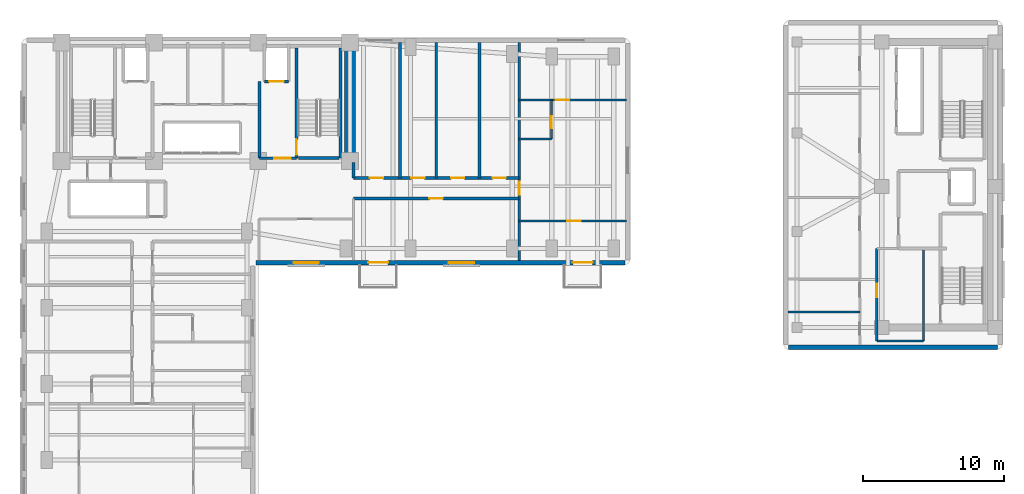
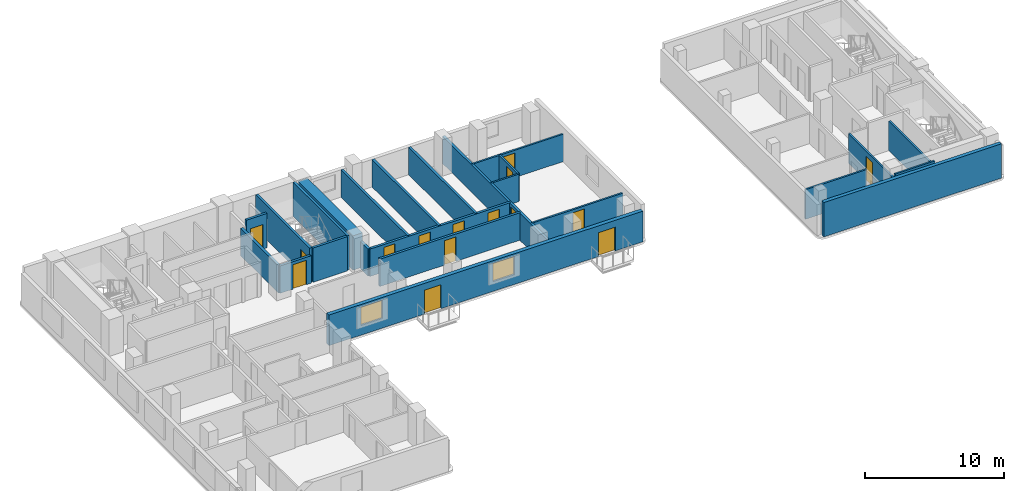
# One storey, part 5 of 10: 24 walls, 15 doors, 2 windows, 17 openings.
"""IFC4 building model written with IfcOpenShell, lengths in metres."""

from ifc_helpers import new_model, si_unit, direction, frame, frame_2d, origin, place, context, subcontext, project, spatial, rectangle, extrude, material, layer, layer_set, type_object, element, fill, save


model = new_model("IFC4")

# Units and contexts
model_context = context("Model", 3, precision=1e-05, world=origin(), true_north=direction((0.0, 1.0)))
body_context = subcontext(model_context, "Body", "Model", "MODEL_VIEW")
ifc_project = project(units=[si_unit("LENGTHUNIT", "METRE"), si_unit("AREAUNIT", "SQUARE_METRE"), si_unit("VOLUMEUNIT", "CUBIC_METRE"), si_unit("PLANEANGLEUNIT", "RADIAN"), si_unit("MASSUNIT", "GRAM", prefix="KILO")], contexts=[model_context])

# Site, building, storey
site_placement = place(None, origin())
site = spatial("IfcSite", under=ifc_project, at=site_placement, CompositionType="ELEMENT")
building_placement = place(site_placement, origin())
building = spatial("IfcBuilding", under=site, at=building_placement, Name="Kuzgunbayir Cultural Tower", CompositionType="ELEMENT")
storey_placement = place(building_placement, frame((0.0, 0.0, 93.0)))
storey = spatial("IfcBuildingStorey", under=building, at=storey_placement, Name="L26", CompositionType="ELEMENT", Elevation=93.0)

# Walls
ifc_material_1 = material(Name="Concrete C60/75", Category="concrete")
ifc_layer_1 = layer(ifc_material_1, 0.800048828125)
ifc_layer_set_1 = layer_set([ifc_layer_1], Name="Concrete C60/75")
wall_type_1 = type_object("IfcWallType", Name="WAL-CORE-800", PredefinedType="SHEAR", material=ifc_layer_set_1)
wall_1_placement = place(storey_placement, frame((26.89990234375, 33.800048828125, 0.0), z_axis=(0.0, 0.0, 1.0), x_axis=(0.0, 1.0, 0.0)))
element("IfcWall", 1, at=wall_1_placement, inside=storey, type_object=wall_type_1, Name="L26 T1 Core East Shear Wall", PredefinedType="SHEAR", context=body_context, shape_type="SweptSolid", body=[
    extrude(rectangle(XDim=7.949951171875, YDim=0.800048828125, at=frame_2d((3.97509765625, 0.0))), origin(), (0.0, 0.0, 1.0), 3.02001953125),
])
ifc_material_2 = material(Name="Anatolian Cream Limestone", Category="masonry")
ifc_layer_2 = layer(ifc_material_2, 0.300048828125)
ifc_layer_set_2 = layer_set([ifc_layer_2], Name="Anatolian Cream Limestone")
wall_type_2 = type_object("IfcWallType", Name="WAL-EXT-STONE-300", PredefinedType="STANDARD", material=ifc_layer_set_2)
wall_2_placement = place(storey_placement, frame((58.0, 20.60009765625, 0.0), z_axis=(0.0, 0.0, 1.0), x_axis=(1.0, 0.0, 0.0)))
element("IfcWall", 2, at=wall_2_placement, inside=storey, type_object=wall_type_2, Name="L26 Companion South Limestone Wall", PredefinedType="STANDARD", context=body_context, shape_type="SweptSolid", body=[
    extrude(rectangle(XDim=14.800048828125, YDim=0.300048828125, at=frame_2d((7.39990234375, 0.0))), origin(), (0.0, 0.0, 1.0), 3.02001953125),
])

# Wall, openings, doors, windows
ifc_material_3 = material(Name="Travertine Buff Ashlar", Category="masonry")
ifc_layer_3 = layer(ifc_material_3, 0.320068359375)
ifc_layer_set_3 = layer_set([ifc_layer_3], Name="Travertine Buff Ashlar")
wall_type_3 = type_object("IfcWallType", Name="WAL-EXT-STONE-320", PredefinedType="STANDARD", material=ifc_layer_set_3)
wall_3_placement = place(storey_placement, frame((20.25, 26.60009765625, 0.0), z_axis=(0.0, 0.0, 1.0), x_axis=(1.0, 0.0, 0.0)))
wall_3 = element("IfcWall", 3, at=wall_3_placement, inside=storey, type_object=wall_type_3, Name="L26 Wing B South Limestone Wall", PredefinedType="STANDARD", context=body_context, shape_type="SweptSolid", body=[
    extrude(rectangle(XDim=26.14990234375, YDim=0.320068359375, at=frame_2d((13.074951171875, 0.0))), origin(), (0.0, 0.0, 1.0), 2.699951171875),
])
opening_1_placement = place(wall_3_placement, frame((7.949951171875, 0.0, 0.0)))
opening_1 = element("IfcOpeningElement", 4, at=opening_1_placement, cuts=wall_3, Name="Opening BD-15", PredefinedType="OPENING", context=body_context, shape_type="SweptSolid", body=[
    extrude(rectangle(XDim=1.39990234375, YDim=2.10009765625, at=frame_2d((0.699951171875, 1.050048828125))), frame((0.0, 0.169921875, 0.0), z_axis=(0.0, -1.0, 0.0), x_axis=(1.0, 0.0, 0.0)), (0.0, 0.0, 1.0), 0.340087890625),
])
opening_2_placement = place(wall_3_placement, frame((22.449951171875, 0.0, 0.0)))
opening_2 = element("IfcOpeningElement", 5, at=opening_2_placement, cuts=wall_3, Name="Opening BD-15", PredefinedType="OPENING", context=body_context, shape_type="SweptSolid", body=[
    extrude(rectangle(XDim=1.39990234375, YDim=2.10009765625, at=frame_2d((0.699951171875, 1.050048828125))), frame((0.0, 0.169921875, 0.0), z_axis=(0.0, -1.0, 0.0), x_axis=(1.0, 0.0, 0.0)), (0.0, 0.0, 1.0), 0.340087890625),
])
opening_3_placement = place(wall_3_placement, frame((2.64990234375, 0.0, 0.85009765625)))
opening_3 = element("IfcOpeningElement", 6, at=opening_3_placement, cuts=wall_3, Name="Opening WH-18", PredefinedType="OPENING", context=body_context, shape_type="SweptSolid", body=[
    extrude(rectangle(XDim=1.800048828125, YDim=1.60009765625, at=frame_2d((0.89990234375, 0.800048828125))), frame((0.0, 0.169921875, 0.0), z_axis=(0.0, -1.0, 0.0), x_axis=(1.0, 0.0, 0.0)), (0.0, 0.0, 1.0), 0.340087890625),
])
opening_4_placement = place(wall_3_placement, frame((13.64990234375, 0.0, 0.85009765625)))
opening_4 = element("IfcOpeningElement", 7, at=opening_4_placement, cuts=wall_3, Name="Opening WH-18", PredefinedType="OPENING", context=body_context, shape_type="SweptSolid", body=[
    extrude(rectangle(XDim=1.800048828125, YDim=1.60009765625, at=frame_2d((0.89990234375, 0.800048828125))), frame((0.0, 0.169921875, 0.0), z_axis=(0.0, -1.0, 0.0), x_axis=(1.0, 0.0, 0.0)), (0.0, 0.0, 1.0), 0.340087890625),
])
ifc_material_4 = material(Name="Thermally Broken Glazed Aluminium", Category="aluminium")
door_type_1 = type_object("IfcDoorType", Name="DR-BALCONY-150", OperationType="SLIDING_TO_RIGHT", PredefinedType="DOOR", material=ifc_material_4)
door_1_placement = place(opening_1_placement, origin())
door_1 = element("IfcDoor", 8, at=door_1_placement, inside=storey, type_object=door_type_1, Name="L26 South Balcony Sliding Door BAL-L26-WB1", OperationType="SLIDING_TO_RIGHT", OverallHeight=2.10009765625, OverallWidth=1.39990234375, PredefinedType="DOOR", context=body_context, shape_type="SweptSolid", body=[
    extrude(rectangle(XDim=1.39990234375, YDim=2.10009765625, at=frame_2d((0.699951171875, 1.050048828125))), frame((0.0, 0.02490234375, 0.0), z_axis=(0.0, -1.0, 0.0), x_axis=(1.0, 0.0, 0.0)), (0.0, 0.0, 1.0), 0.050048828125),
])
fill(opening_1, door_1)
door_2_placement = place(opening_2_placement, origin())
door_2 = element("IfcDoor", 9, at=door_2_placement, inside=storey, type_object=door_type_1, Name="L26 South Balcony Sliding Door BAL-L26-WB3", OperationType="SLIDING_TO_RIGHT", OverallHeight=2.10009765625, OverallWidth=1.39990234375, PredefinedType="DOOR", context=body_context, shape_type="SweptSolid", body=[
    extrude(rectangle(XDim=1.39990234375, YDim=2.10009765625, at=frame_2d((0.699951171875, 1.050048828125))), frame((0.0, 0.02490234375, 0.0), z_axis=(0.0, -1.0, 0.0), x_axis=(1.0, 0.0, 0.0)), (0.0, 0.0, 1.0), 0.050048828125),
])
fill(opening_2, door_2)
ifc_material_5 = material(Name="Solar-Control Triple Glazing", Category="glass")
window_type = type_object("IfcWindowType", Name="WIN-HOTEL-18", PartitioningType="SINGLE_PANEL", PredefinedType="WINDOW", material=ifc_material_5)
window_1_placement = place(opening_3_placement, origin())
window_1 = element("IfcWindow", 10, at=window_1_placement, inside=storey, type_object=window_type, Name="L26 WBS Facade Window 1", OverallHeight=1.60009765625, OverallWidth=1.800048828125, PartitioningType="SINGLE_PANEL", PredefinedType="WINDOW", context=body_context, shape_type="SweptSolid", body=[
    extrude(rectangle(XDim=1.800048828125, YDim=1.60009765625, at=frame_2d((0.89990234375, 0.800048828125))), frame((0.0, 0.030029296875, 0.0), z_axis=(0.0, -1.0, 0.0), x_axis=(1.0, 0.0, 0.0)), (0.0, 0.0, 1.0), 0.06005859375),
])
fill(opening_3, window_1)
window_2_placement = place(opening_4_placement, origin())
window_2 = element("IfcWindow", 11, at=window_2_placement, inside=storey, type_object=window_type, Name="L26 WBS Facade Window 16", OverallHeight=1.60009765625, OverallWidth=1.800048828125, PartitioningType="SINGLE_PANEL", PredefinedType="WINDOW", context=body_context, shape_type="SweptSolid", body=[
    extrude(rectangle(XDim=1.800048828125, YDim=1.60009765625, at=frame_2d((0.89990234375, 0.800048828125))), frame((0.0, 0.030029296875, 0.0), z_axis=(0.0, -1.0, 0.0), x_axis=(1.0, 0.0, 0.0)), (0.0, 0.0, 1.0), 0.06005859375),
])
fill(opening_4, window_2)

# Wall, opening, door
ifc_material_6 = material(Name="Acoustic Double-Stud Drywall", Category="gypsum")
ifc_layer_4 = layer(ifc_material_6, 0.14990234375)
ifc_layer_set_4 = layer_set([ifc_layer_4], Name="Acoustic Double-Stud Drywall")
wall_type_4 = type_object("IfcWallType", Name="WAL-PART-ACOUSTIC-150", PredefinedType="PARTITIONING", material=ifc_layer_set_4)
wall_4_placement = place(storey_placement, frame((38.89990234375, 38.1201171875, 0.0), z_axis=(0.0, 0.0, 1.0), x_axis=(1.0, 0.0, 0.0)))
wall_4 = element("IfcWall", 12, at=wall_4_placement, inside=storey, type_object=wall_type_4, Name="L26 Corner Suite Bedroom Wall", PredefinedType="PARTITIONING", context=body_context, shape_type="SweptSolid", body=[
    extrude(rectangle(XDim=7.60009765625, YDim=0.14990234375, at=frame_2d((3.800048828125, 0.0))), origin(), (0.0, 0.0, 1.0), 2.409912109375),
])
opening_5_placement = place(wall_4_placement, frame((2.590087890625, 0.0, 0.0)))
opening_5 = element("IfcOpeningElement", 13, at=opening_5_placement, cuts=wall_4, Name="Opening DI-90", PredefinedType="OPENING", context=body_context, shape_type="SweptSolid", body=[
    extrude(rectangle(XDim=0.949951171875, YDim=2.14990234375, at=frame_2d((0.47509765625, 1.074951171875))), frame((0.0, 0.0849609375, 0.0), z_axis=(0.0, -1.0, 0.0), x_axis=(1.0, 0.0, 0.0)), (0.0, 0.0, 1.0), 0.169921875),
])
ifc_material_7 = material(Name="Veneered Oak Single Leaf", Category="wood")
door_type_2 = type_object("IfcDoorType", Name="DR-INT-90", OperationType="NOTDEFINED", PredefinedType="DOOR", material=ifc_material_7)
door_3_placement = place(opening_5_placement, origin())
door_3 = element("IfcDoor", 14, at=door_3_placement, inside=storey, type_object=door_type_2, Name="L26 Corner Bedroom Door", OperationType="SINGLE_SWING_RIGHT", OverallHeight=2.14990234375, OverallWidth=0.949951171875, PredefinedType="DOOR", context=body_context, shape_type="SweptSolid", body=[
    extrude(rectangle(XDim=0.949951171875, YDim=2.14990234375, at=frame_2d((0.47509765625, 1.074951171875))), frame((0.0, 0.02490234375, 0.0), z_axis=(0.0, -1.0, 0.0), x_axis=(1.0, 0.0, 0.0)), (0.0, 0.0, 1.0), 0.050048828125),
])
fill(opening_5, door_3)

wall_5_placement = place(storey_placement, frame((64.25, 21.050048828125, 0.0), z_axis=(0.0, 0.0, 1.0), x_axis=(0.0, 1.0, 0.0)))
wall_5 = element("IfcWall", 15, at=wall_5_placement, inside=storey, type_object=wall_type_4, Name="L26 Companion Archive West Wall", PredefinedType="PARTITIONING", context=body_context, shape_type="SweptSolid", body=[
    extrude(rectangle(XDim=6.550048828125, YDim=0.14990234375, at=frame_2d((3.27490234375, 0.0))), origin(), (0.0, 0.0, 1.0), 2.60009765625),
])
opening_6_placement = place(wall_5_placement, frame((3.10009765625, 0.0, 0.0)))
opening_6 = element("IfcOpeningElement", 16, at=opening_6_placement, cuts=wall_5, Name="Opening DI-90", PredefinedType="OPENING", context=body_context, shape_type="SweptSolid", body=[
    extrude(rectangle(XDim=0.949951171875, YDim=2.14990234375, at=frame_2d((0.47509765625, 1.074951171875))), frame((0.0, 0.0849609375, 0.0), z_axis=(0.0, -1.0, 0.0), x_axis=(1.0, 0.0, 0.0)), (0.0, 0.0, 1.0), 0.169921875),
])
door_4_placement = place(opening_6_placement, origin())
door_4 = element("IfcDoor", 17, at=door_4_placement, inside=storey, type_object=door_type_2, Name="L26 Companion Archive Door", OperationType="SINGLE_SWING_RIGHT", OverallHeight=2.14990234375, OverallWidth=0.949951171875, PredefinedType="DOOR", context=body_context, shape_type="SweptSolid", body=[
    extrude(rectangle(XDim=0.949951171875, YDim=2.14990234375, at=frame_2d((0.47509765625, 1.074951171875))), frame((0.0, 0.02490234375, 0.0), z_axis=(0.0, -1.0, 0.0), x_axis=(1.0, 0.0, 0.0)), (0.0, 0.0, 1.0), 0.050048828125),
])
fill(opening_6, door_4)

# Walls
wall_6_placement = place(storey_placement, frame((67.550048828125, 21.050048828125, 0.0), z_axis=(0.0, 0.0, 1.0), x_axis=(0.0, 1.0, 0.0)))
element("IfcWall", 18, at=wall_6_placement, inside=storey, type_object=wall_type_4, Name="L26 Companion Archive East Wall", PredefinedType="PARTITIONING", context=body_context, shape_type="SweptSolid", body=[
    extrude(rectangle(XDim=6.469970703125, YDim=0.14990234375, at=frame_2d((3.23486328125, 0.0))), origin(), (0.0, 0.0, 1.0), 2.60009765625),
])
wall_7_placement = place(storey_placement, frame((64.25, 21.050048828125, 0.0), z_axis=(0.0, 0.0, 1.0), x_axis=(1.0, 0.0, 0.0)))
element("IfcWall", 19, at=wall_7_placement, inside=storey, type_object=wall_type_4, Name="L26 Companion Archive South Wall", PredefinedType="PARTITIONING", context=body_context, shape_type="SweptSolid", body=[
    extrude(rectangle(XDim=3.300048828125, YDim=0.14990234375, at=frame_2d((1.64990234375, 0.0))), origin(), (0.0, 0.0, 1.0), 3.02001953125),
])
ifc_material_8 = material(Name="Aerated Concrete Blockwork", Category="masonry")
ifc_layer_5 = layer(ifc_material_8, 0.199951171875)
ifc_layer_set_5 = layer_set([ifc_layer_5], Name="Aerated Concrete Blockwork")
wall_type_5 = type_object("IfcWallType", Name="WAL-PART-FIRE-200", PredefinedType="PARTITIONING", material=ifc_layer_set_5)
wall_8_placement = place(storey_placement, frame((20.5, 34.0, 0.0), z_axis=(0.0, 0.0, 1.0), x_axis=(0.0, 1.0, 0.0)))
element("IfcWall", 20, at=wall_8_placement, inside=storey, type_object=wall_type_5, Name="L26 FFL-2 Lobby West Fire Wall", PredefinedType="PARTITIONING", context=body_context, shape_type="SweptSolid", body=[
    extrude(rectangle(XDim=5.449951171875, YDim=0.199951171875, at=frame_2d((2.72509765625, 0.0))), origin(), (0.0, 0.0, 1.0), 2.409912109375),
])

# Wall, opening, door
wall_9_placement = place(storey_placement, frame((20.5, 34.0, 0.0), z_axis=(0.0, 0.0, 1.0), x_axis=(1.0, 0.0, 0.0)))
wall_9 = element("IfcWall", 21, at=wall_9_placement, inside=storey, type_object=wall_type_5, Name="L26 FFL-2 Lobby South Fire Wall", PredefinedType="PARTITIONING", context=body_context, shape_type="SweptSolid", body=[
    extrude(rectangle(XDim=2.60009765625, YDim=0.199951171875, at=frame_2d((1.300048828125, 0.0))), origin(), (0.0, 0.0, 1.0), 2.409912109375),
])
opening_7_placement = place(wall_9_placement, frame((1.050048828125, 0.0, 0.0)))
opening_7 = element("IfcOpeningElement", 22, at=opening_7_placement, cuts=wall_9, Name="Opening DR-FFL-90", PredefinedType="OPENING", context=body_context, shape_type="SweptSolid", body=[
    extrude(rectangle(XDim=1.14990234375, YDim=2.14990234375, at=frame_2d((0.574951171875, 1.074951171875))), frame((0.0, 0.10986328125, 0.0), z_axis=(0.0, -1.0, 0.0), x_axis=(1.0, 0.0, 0.0)), (0.0, 0.0, 1.0), 0.219970703125),
])
ifc_material_9 = material(Name="Steel S355J2", Category="steel")
door_type_3 = type_object("IfcDoorType", Name="DR-FFL-90", OperationType="NOTDEFINED", PredefinedType="DOOR", material=ifc_material_9)
door_5_placement = place(opening_7_placement, origin())
door_5 = element("IfcDoor", 23, at=door_5_placement, inside=storey, type_object=door_type_3, Name="L26 Firefighting Lobby 2 Door", OperationType="SINGLE_SWING_RIGHT", OverallHeight=2.14990234375, OverallWidth=1.14990234375, PredefinedType="DOOR", context=body_context, shape_type="SweptSolid", body=[
    extrude(rectangle(XDim=1.14990234375, YDim=2.14990234375, at=frame_2d((0.574951171875, 1.074951171875))), frame((0.0, 0.02490234375, 0.0), z_axis=(0.0, -1.0, 0.0), x_axis=(1.0, 0.0, 0.0)), (0.0, 0.0, 1.0), 0.050048828125),
])
fill(opening_7, door_5)

wall_10_placement = place(storey_placement, frame((27.14990234375, 31.14990234375, 0.0), z_axis=(0.0, 0.0, 1.0), x_axis=(1.0, 0.0, 0.0)))
wall_10 = element("IfcWall", 24, at=wall_10_placement, inside=storey, type_object=wall_type_5, Name="L26 Wing B Hotel Corridor South Wall", PredefinedType="PARTITIONING", context=body_context, shape_type="SweptSolid", body=[
    extrude(rectangle(XDim=11.75, YDim=0.199951171875, at=frame_2d((5.875, 0.0))), origin(), (0.0, 0.0, 1.0), 2.409912109375),
])
opening_8_placement = place(wall_10_placement, frame((5.389892578125, 0.0, 0.0)))
opening_8 = element("IfcOpeningElement", 25, at=opening_8_placement, cuts=wall_10, Name="Opening DI-90", PredefinedType="OPENING", context=body_context, shape_type="SweptSolid", body=[
    extrude(rectangle(XDim=0.949951171875, YDim=2.14990234375, at=frame_2d((0.47509765625, 1.074951171875))), frame((0.0, 0.10986328125, 0.0), z_axis=(0.0, -1.0, 0.0), x_axis=(1.0, 0.0, 0.0)), (0.0, 0.0, 1.0), 0.219970703125),
])
door_6_placement = place(opening_8_placement, origin())
door_6 = element("IfcDoor", 26, at=door_6_placement, inside=storey, type_object=door_type_2, Name="L26 Wellness Consultation Studio B1 Door", OperationType="SINGLE_SWING_LEFT", OverallHeight=2.14990234375, OverallWidth=0.949951171875, PredefinedType="DOOR", context=body_context, shape_type="SweptSolid", body=[
    extrude(rectangle(XDim=0.949951171875, YDim=2.14990234375, at=frame_2d((0.47509765625, 1.074951171875))), frame((0.0, 0.02490234375, 0.0), z_axis=(0.0, -1.0, 0.0), x_axis=(1.0, 0.0, 0.0)), (0.0, 0.0, 1.0), 0.050048828125),
])
fill(opening_8, door_6)

# Wall, openings, doors
wall_11_placement = place(storey_placement, frame((27.14990234375, 32.60009765625, 0.0), z_axis=(0.0, 0.0, 1.0), x_axis=(1.0, 0.0, 0.0)))
wall_11 = element("IfcWall", 27, at=wall_11_placement, inside=storey, type_object=wall_type_5, Name="L26 Wing B Hotel Corridor North Wall", PredefinedType="PARTITIONING", context=body_context, shape_type="SweptSolid", body=[
    extrude(rectangle(XDim=11.75, YDim=0.199951171875, at=frame_2d((5.875, 0.0))), origin(), (0.0, 0.0, 1.0), 2.409912109375),
])
opening_9_placement = place(wall_11_placement, frame((1.169921875, 0.0, 0.0)))
opening_9 = element("IfcOpeningElement", 28, at=opening_9_placement, cuts=wall_11, Name="Opening DI-90", PredefinedType="OPENING", context=body_context, shape_type="SweptSolid", body=[
    extrude(rectangle(XDim=0.949951171875, YDim=2.14990234375, at=frame_2d((0.47509765625, 1.074951171875))), frame((0.0, 0.10986328125, 0.0), z_axis=(0.0, -1.0, 0.0), x_axis=(1.0, 0.0, 0.0)), (0.0, 0.0, 1.0), 0.219970703125),
])
opening_10_placement = place(wall_11_placement, frame((4.10009765625, 0.0, 0.0)))
opening_10 = element("IfcOpeningElement", 29, at=opening_10_placement, cuts=wall_11, Name="Opening DI-90", PredefinedType="OPENING", context=body_context, shape_type="SweptSolid", body=[
    extrude(rectangle(XDim=0.949951171875, YDim=2.14990234375, at=frame_2d((0.47509765625, 1.074951171875))), frame((0.0, 0.10986328125, 0.0), z_axis=(0.0, -1.0, 0.0), x_axis=(1.0, 0.0, 0.0)), (0.0, 0.0, 1.0), 0.219970703125),
])
opening_11_placement = place(wall_11_placement, frame((6.919921875, 0.0, 0.0)))
opening_11 = element("IfcOpeningElement", 30, at=opening_11_placement, cuts=wall_11, Name="Opening DI-90", PredefinedType="OPENING", context=body_context, shape_type="SweptSolid", body=[
    extrude(rectangle(XDim=0.949951171875, YDim=2.14990234375, at=frame_2d((0.47509765625, 1.074951171875))), frame((0.0, 0.10986328125, 0.0), z_axis=(0.0, -1.0, 0.0), x_axis=(1.0, 0.0, 0.0)), (0.0, 0.0, 1.0), 0.219970703125),
])
opening_12_placement = place(wall_11_placement, frame((9.860107421875, 0.0, 0.0)))
opening_12 = element("IfcOpeningElement", 31, at=opening_12_placement, cuts=wall_11, Name="Opening DI-90", PredefinedType="OPENING", context=body_context, shape_type="SweptSolid", body=[
    extrude(rectangle(XDim=0.949951171875, YDim=2.14990234375, at=frame_2d((0.47509765625, 1.074951171875))), frame((0.0, 0.10986328125, 0.0), z_axis=(0.0, -1.0, 0.0), x_axis=(1.0, 0.0, 0.0)), (0.0, 0.0, 1.0), 0.219970703125),
])
door_7_placement = place(opening_9_placement, origin())
door_7 = element("IfcDoor", 32, at=door_7_placement, inside=storey, type_object=door_type_2, Name="L26 North Wellness Consultation Studio 1 Door", OperationType="SINGLE_SWING_RIGHT", OverallHeight=2.14990234375, OverallWidth=0.949951171875, PredefinedType="DOOR", context=body_context, shape_type="SweptSolid", body=[
    extrude(rectangle(XDim=0.949951171875, YDim=2.14990234375, at=frame_2d((0.47509765625, 1.074951171875))), frame((0.0, 0.02490234375, 0.0), z_axis=(0.0, -1.0, 0.0), x_axis=(1.0, 0.0, 0.0)), (0.0, 0.0, 1.0), 0.050048828125),
])
fill(opening_9, door_7)
door_8_placement = place(opening_10_placement, origin())
door_8 = element("IfcDoor", 33, at=door_8_placement, inside=storey, type_object=door_type_2, Name="L26 North Fellows Reading Lounge 2 Door", OperationType="SINGLE_SWING_LEFT", OverallHeight=2.14990234375, OverallWidth=0.949951171875, PredefinedType="DOOR", context=body_context, shape_type="SweptSolid", body=[
    extrude(rectangle(XDim=0.949951171875, YDim=2.14990234375, at=frame_2d((0.47509765625, 1.074951171875))), frame((0.0, 0.02490234375, 0.0), z_axis=(0.0, -1.0, 0.0), x_axis=(1.0, 0.0, 0.0)), (0.0, 0.0, 1.0), 0.050048828125),
])
fill(opening_10, door_8)
door_9_placement = place(opening_11_placement, origin())
door_9 = element("IfcDoor", 34, at=door_9_placement, inside=storey, type_object=door_type_2, Name="L26 North Curatorial Office 3 Door", OperationType="SINGLE_SWING_RIGHT", OverallHeight=2.14990234375, OverallWidth=0.949951171875, PredefinedType="DOOR", context=body_context, shape_type="SweptSolid", body=[
    extrude(rectangle(XDim=0.949951171875, YDim=2.14990234375, at=frame_2d((0.47509765625, 1.074951171875))), frame((0.0, 0.02490234375, 0.0), z_axis=(0.0, -1.0, 0.0), x_axis=(1.0, 0.0, 0.0)), (0.0, 0.0, 1.0), 0.050048828125),
])
fill(opening_11, door_9)
door_10_placement = place(opening_12_placement, origin())
door_10 = element("IfcDoor", 35, at=door_10_placement, inside=storey, type_object=door_type_2, Name="L26 North Seminar Boardroom 4 Door", OperationType="SINGLE_SWING_LEFT", OverallHeight=2.14990234375, OverallWidth=0.949951171875, PredefinedType="DOOR", context=body_context, shape_type="SweptSolid", body=[
    extrude(rectangle(XDim=0.949951171875, YDim=2.14990234375, at=frame_2d((0.47509765625, 1.074951171875))), frame((0.0, 0.02490234375, 0.0), z_axis=(0.0, -1.0, 0.0), x_axis=(1.0, 0.0, 0.0)), (0.0, 0.0, 1.0), 0.050048828125),
])
fill(opening_12, door_10)

# Wall
wall_12_placement = place(storey_placement, frame((27.14990234375, 32.60009765625, 0.0), z_axis=(0.0, 0.0, 1.0), x_axis=(0.0, 1.0, 0.0)))
element("IfcWall", 36, at=wall_12_placement, inside=storey, type_object=wall_type_5, Name="L26 Wing B North Core Closure Wall", PredefinedType="PARTITIONING", context=body_context, shape_type="SweptSolid", body=[
    extrude(rectangle(XDim=1.079833984375, YDim=0.199951171875, at=frame_2d((0.5400390625, 0.0))), origin(), (0.0, 0.0, 1.0), 2.409912109375),
])

# Wall, opening, door
wall_13_placement = place(storey_placement, frame((38.89990234375, 26.75, 0.0), z_axis=(0.0, 0.0, 1.0), x_axis=(0.0, 1.0, 0.0)))
wall_13 = element("IfcWall", 37, at=wall_13_placement, inside=storey, type_object=wall_type_5, Name="L26 Wing B East Suite Wall", PredefinedType="PARTITIONING", context=body_context, shape_type="SweptSolid", body=[
    extrude(rectangle(XDim=15.449951171875, YDim=0.199951171875, at=frame_2d((7.72509765625, 0.0))), origin(), (0.0, 0.0, 1.0), 2.409912109375),
])
opening_13_placement = place(wall_13_placement, frame((4.64990234375, 0.0, 0.0)))
opening_13 = element("IfcOpeningElement", 38, at=opening_13_placement, cuts=wall_13, Name="Opening DR-APT-60", PredefinedType="OPENING", context=body_context, shape_type="SweptSolid", body=[
    extrude(rectangle(XDim=0.949951171875, YDim=2.14990234375, at=frame_2d((0.47509765625, 1.074951171875))), frame((0.0, 0.10986328125, 0.0), z_axis=(0.0, -1.0, 0.0), x_axis=(1.0, 0.0, 0.0)), (0.0, 0.0, 1.0), 0.219970703125),
])
ifc_material_10 = material(Name="Acoustic Fire Timber Leaf", Category="wood")
door_type_4 = type_object("IfcDoorType", Name="DR-APT-60", OperationType="NOTDEFINED", PredefinedType="DOOR", material=ifc_material_10)
door_11_placement = place(opening_13_placement, origin())
door_11 = element("IfcDoor", 39, at=door_11_placement, inside=storey, type_object=door_type_4, Name="L26 Corner Suite Entrance", OperationType="SINGLE_SWING_LEFT", OverallHeight=2.14990234375, OverallWidth=0.949951171875, PredefinedType="DOOR", context=body_context, shape_type="SweptSolid", body=[
    extrude(rectangle(XDim=0.949951171875, YDim=2.14990234375, at=frame_2d((0.47509765625, 1.074951171875))), frame((0.0, 0.02490234375, 0.0), z_axis=(0.0, -1.0, 0.0), x_axis=(1.0, 0.0, 0.0)), (0.0, 0.0, 1.0), 0.050048828125),
])
fill(opening_13, door_11)

# Walls
for number, where, z_axis, x_axis, name in (
    (40, (30.43994140625, 32.60009765625, 0.0), (0.0, 0.0, 1.0), (0.0, 1.0, 0.0), "L26 Wing B North Party Wall 1"),
    (41, (33.02001953125, 32.60009765625, 0.0), (0.0, 0.0, 1.0), (0.0, 1.0, 0.0), "L26 Wing B North Party Wall 2"),
    (42, (36.080078125, 32.60009765625, 0.0), (0.0, 0.0, 1.0), (0.0, 1.0, 0.0), "L26 Wing B North Party Wall 3"),
):
    element("IfcWall", number, at=place(storey_placement, frame(where, z_axis=z_axis, x_axis=x_axis)), inside=storey, type_object=wall_type_5, Name=name, PredefinedType="PARTITIONING", context=body_context, shape_type="SweptSolid", body=[
        extrude(rectangle(XDim=9.599853515625, YDim=0.199951171875, at=frame_2d((4.7998046875, 0.0))), origin(), (0.0, 0.0, 1.0), 2.409912109375),
    ])

# Wall, opening, door
ifc_material_11 = material(Name="Moisture-Resistant Tile Partition", Category="gypsum")
ifc_layer_6 = layer(ifc_material_11, 0.14990234375)
ifc_layer_set_6 = layer_set([ifc_layer_6], Name="Moisture-Resistant Tile Partition")
wall_type_6 = type_object("IfcWallType", Name="WAL-PART-WET-150", PredefinedType="PARTITIONING", material=ifc_layer_set_6)
wall_14_placement = place(storey_placement, frame((38.89990234375, 29.550048828125, 0.0), z_axis=(0.0, 0.0, 1.0), x_axis=(1.0, 0.0, 0.0)))
wall_14 = element("IfcWall", 43, at=wall_14_placement, inside=storey, type_object=wall_type_6, Name="L26 Corner Suite Kitchen Wall", PredefinedType="PARTITIONING", context=body_context, shape_type="SweptSolid", body=[
    extrude(rectangle(XDim=7.60009765625, YDim=0.14990234375, at=frame_2d((3.800048828125, 0.0))), origin(), (0.0, 0.0, 1.0), 2.409912109375),
])
opening_14_placement = place(wall_14_placement, frame((3.419921875, 0.0, 0.0)))
opening_14 = element("IfcOpeningElement", 44, at=opening_14_placement, cuts=wall_14, Name="Opening DI-90", PredefinedType="OPENING", context=body_context, shape_type="SweptSolid", body=[
    extrude(rectangle(XDim=0.949951171875, YDim=2.14990234375, at=frame_2d((0.47509765625, 1.074951171875))), frame((0.0, 0.0849609375, 0.0), z_axis=(0.0, -1.0, 0.0), x_axis=(1.0, 0.0, 0.0)), (0.0, 0.0, 1.0), 0.169921875),
])
door_12_placement = place(opening_14_placement, origin())
door_12 = element("IfcDoor", 45, at=door_12_placement, inside=storey, type_object=door_type_2, Name="L26 Corner Suite Kitchen Door", OperationType="SINGLE_SWING_RIGHT", OverallHeight=2.14990234375, OverallWidth=0.949951171875, PredefinedType="DOOR", context=body_context, shape_type="SweptSolid", body=[
    extrude(rectangle(XDim=0.949951171875, YDim=2.14990234375, at=frame_2d((0.47509765625, 1.074951171875))), frame((0.0, 0.02490234375, 0.0), z_axis=(0.0, -1.0, 0.0), x_axis=(1.0, 0.0, 0.0)), (0.0, 0.0, 1.0), 0.050048828125),
])
fill(opening_14, door_12)

# Wall
wall_15_placement = place(storey_placement, frame((38.89990234375, 35.3701171875, 0.0), z_axis=(0.0, 0.0, 1.0), x_axis=(1.0, 0.0, 0.0)))
element("IfcWall", 46, at=wall_15_placement, inside=storey, type_object=wall_type_6, Name="L26 Corner Suite Bath South Wall", PredefinedType="PARTITIONING", context=body_context, shape_type="SweptSolid", body=[
    extrude(rectangle(XDim=2.300048828125, YDim=0.14990234375, at=frame_2d((1.14990234375, 0.0))), origin(), (0.0, 0.0, 1.0), 2.409912109375),
])

# Wall, opening, door
wall_16_placement = place(storey_placement, frame((41.199951171875, 35.3701171875, 0.0), z_axis=(0.0, 0.0, 1.0), x_axis=(0.0, 1.0, 0.0)))
wall_16 = element("IfcWall", 47, at=wall_16_placement, inside=storey, type_object=wall_type_6, Name="L26 Corner Suite Bath East Wall", PredefinedType="PARTITIONING", context=body_context, shape_type="SweptSolid", body=[
    extrude(rectangle(XDim=2.75, YDim=0.14990234375, at=frame_2d((1.375, 0.0))), origin(), (0.0, 0.0, 1.0), 2.409912109375),
])
opening_15_placement = place(wall_16_placement, frame((0.75, 0.0, 0.0)))
opening_15 = element("IfcOpeningElement", 48, at=opening_15_placement, cuts=wall_16, Name="Opening DW-85", PredefinedType="OPENING", context=body_context, shape_type="SweptSolid", body=[
    extrude(rectangle(XDim=0.85009765625, YDim=2.10009765625, at=frame_2d((0.425048828125, 1.050048828125))), frame((0.0, 0.0849609375, 0.0), z_axis=(0.0, -1.0, 0.0), x_axis=(1.0, 0.0, 0.0)), (0.0, 0.0, 1.0), 0.169921875),
])
ifc_material_12 = material(Name="Laminate Moisture-Resistant Leaf", Category="wood")
door_type_5 = type_object("IfcDoorType", Name="DR-WET-85", OperationType="NOTDEFINED", PredefinedType="DOOR", material=ifc_material_12)
door_13_placement = place(opening_15_placement, origin())
door_13 = element("IfcDoor", 49, at=door_13_placement, inside=storey, type_object=door_type_5, Name="L26 Corner Suite Bathroom Door", OperationType="SINGLE_SWING_LEFT", OverallHeight=2.10009765625, OverallWidth=0.85009765625, PredefinedType="DOOR", context=body_context, shape_type="SweptSolid", body=[
    extrude(rectangle(XDim=0.85009765625, YDim=2.10009765625, at=frame_2d((0.425048828125, 1.050048828125))), frame((0.0, 0.02490234375, 0.0), z_axis=(0.0, -1.0, 0.0), x_axis=(1.0, 0.0, 0.0)), (0.0, 0.0, 1.0), 0.050048828125),
])
fill(opening_15, door_13)

# Wall
wall_17_placement = place(storey_placement, frame((57.949951171875, 23.10009765625, 0.0), z_axis=(0.0, 0.0, 1.0), x_axis=(1.0, 0.0, 0.0)))
element("IfcWall", 50, at=wall_17_placement, inside=storey, type_object=wall_type_6, Name="L26 Companion WC North Wall", PredefinedType="PARTITIONING", context=body_context, shape_type="SweptSolid", body=[
    extrude(rectangle(XDim=5.10009765625, YDim=0.14990234375, at=frame_2d((2.550048828125, 0.0))), origin(), (0.0, 0.0, 1.0), 2.60009765625),
])

# Wall, opening, door
ifc_material_13 = material(Name="Concrete C40/50", Category="concrete")
ifc_layer_7 = layer(ifc_material_13, 0.199951171875)
ifc_layer_set_7 = layer_set([ifc_layer_7], Name="Concrete C40/50")
wall_type_7 = type_object("IfcWallType", Name="WAL-SHAFT-200", PredefinedType="MOVABLE", material=ifc_layer_set_7)
wall_18_placement = place(storey_placement, frame((20.85009765625, 39.449951171875, 0.0), z_axis=(0.0, 0.0, 1.0), x_axis=(1.0, 0.0, 0.0)))
wall_18 = element("IfcWall", 51, at=wall_18_placement, inside=storey, type_object=wall_type_7, Name="L26 FFL-2 Lift Front Wall", PredefinedType="MOVABLE", context=body_context, shape_type="SweptSolid", body=[
    extrude(rectangle(XDim=1.699951171875, YDim=0.199951171875, at=frame_2d((0.85009765625, 0.0))), origin(), (0.0, 0.0, 1.0), 3.02001953125),
])
opening_16_placement = place(wall_18_placement, frame((0.320068359375, 0.0, 0.0)))
opening_16 = element("IfcOpeningElement", 52, at=opening_16_placement, cuts=wall_18, Name="Opening LD", PredefinedType="OPENING", context=body_context, shape_type="SweptSolid", body=[
    extrude(rectangle(XDim=1.050048828125, YDim=2.14990234375, at=frame_2d((0.52490234375, 1.074951171875))), frame((0.0, 0.10986328125, 0.0), z_axis=(0.0, -1.0, 0.0), x_axis=(1.0, 0.0, 0.0)), (0.0, 0.0, 1.0), 0.219970703125),
])
ifc_material_14 = material(Name="Brushed Stainless Steel", Category="steel")
door_type_6 = type_object("IfcDoorType", Name="DR-LIFT-LANDING", OperationType="SLIDING_TO_LEFT", PredefinedType="DOOR", material=ifc_material_14)
door_14_placement = place(opening_16_placement, origin())
door_14 = element("IfcDoor", 53, at=door_14_placement, inside=storey, type_object=door_type_6, Name="L26 Lift FFL-2 Landing Door", OperationType="SLIDING_TO_LEFT", OverallHeight=2.14990234375, OverallWidth=1.050048828125, PredefinedType="DOOR", context=body_context, shape_type="SweptSolid", body=[
    extrude(rectangle(XDim=1.050048828125, YDim=2.14990234375, at=frame_2d((0.52490234375, 1.074951171875))), frame((0.0, 0.02490234375, 0.0), z_axis=(0.0, -1.0, 0.0), x_axis=(1.0, 0.0, 0.0)), (0.0, 0.0, 1.0), 0.050048828125),
])
fill(opening_16, door_14)

ifc_layer_8 = layer(ifc_material_13, 0.199951171875)
ifc_layer_set_8 = layer_set([ifc_layer_8], Name="Concrete C40/50")
wall_type_8 = type_object("IfcWallType", Name="WAL-STAIR-RC-200", PredefinedType="SHEAR", material=ifc_layer_set_8)
wall_19_placement = place(storey_placement, frame((23.1201171875, 34.02001953125, 0.0), z_axis=(0.0, 0.0, 1.0), x_axis=(0.0, 1.0, 0.0)))
wall_19 = element("IfcWall", 54, at=wall_19_placement, inside=storey, type_object=wall_type_8, Name="L26 Stair ST-2 West Structural Wall", PredefinedType="SHEAR", context=body_context, shape_type="SweptSolid", body=[
    extrude(rectangle(XDim=7.780029296875, YDim=0.199951171875, at=frame_2d((3.89013671875, 0.0))), origin(), (0.0, 0.0, 1.0), 3.02001953125),
])
opening_17_placement = place(wall_19_placement, frame((0.219970703125, 0.0, 0.0)))
opening_17 = element("IfcOpeningElement", 55, at=opening_17_placement, cuts=wall_19, Name="Opening DR-STAIR-90", PredefinedType="OPENING", context=body_context, shape_type="SweptSolid", body=[
    extrude(rectangle(XDim=1.10009765625, YDim=2.14990234375, at=frame_2d((0.550048828125, 1.074951171875))), frame((0.0, 0.10986328125, 0.0), z_axis=(0.0, -1.0, 0.0), x_axis=(1.0, 0.0, 0.0)), (0.0, 0.0, 1.0), 0.219970703125),
])
door_type_7 = type_object("IfcDoorType", Name="DR-STAIR-90", OperationType="NOTDEFINED", PredefinedType="DOOR", material=ifc_material_9)
door_15_placement = place(opening_17_placement, origin())
door_15 = element("IfcDoor", 56, at=door_15_placement, inside=storey, type_object=door_type_7, Name="L26 Stair ST-2 Fire Door", OperationType="SINGLE_SWING_RIGHT", OverallHeight=2.14990234375, OverallWidth=1.10009765625, PredefinedType="DOOR", context=body_context, shape_type="SweptSolid", body=[
    extrude(rectangle(XDim=1.10009765625, YDim=2.14990234375, at=frame_2d((0.550048828125, 1.074951171875))), frame((0.0, 0.02490234375, 0.0), z_axis=(0.0, -1.0, 0.0), x_axis=(1.0, 0.0, 0.0)), (0.0, 0.0, 1.0), 0.050048828125),
])
fill(opening_17, door_15)

# Walls
wall_20_placement = place(storey_placement, frame((26.239990234375, 34.02001953125, 0.0), z_axis=(0.0, 0.0, 1.0), x_axis=(0.0, 1.0, 0.0)))
element("IfcWall", 57, at=wall_20_placement, inside=storey, type_object=wall_type_8, Name="L26 Stair ST-2 East Structural Wall", PredefinedType="SHEAR", context=body_context, shape_type="SweptSolid", body=[
    extrude(rectangle(XDim=7.780029296875, YDim=0.199951171875, at=frame_2d((3.89013671875, 0.0))), origin(), (0.0, 0.0, 1.0), 3.02001953125),
])
wall_21_placement = place(storey_placement, frame((23.239990234375, 34.02001953125, 0.0), z_axis=(0.0, 0.0, 1.0), x_axis=(1.0, 0.0, 0.0)))
element("IfcWall", 58, at=wall_21_placement, inside=storey, type_object=wall_type_8, Name="L26 Stair ST-2 South Structural Wall", PredefinedType="SHEAR", context=body_context, shape_type="SweptSolid", body=[
    extrude(rectangle(XDim=2.880126953125, YDim=0.199951171875, at=frame_2d((1.43994140625, 0.0))), origin(), (0.0, 0.0, 1.0), 3.02001953125),
])

save(model, "model.ifc")
